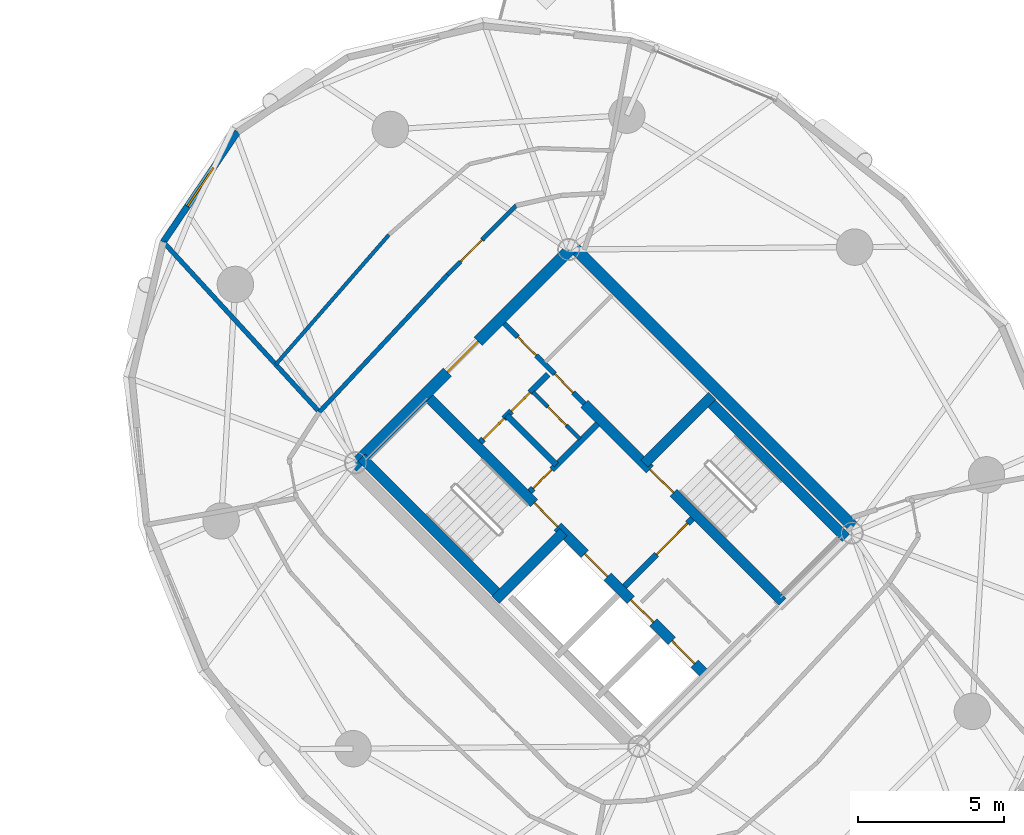
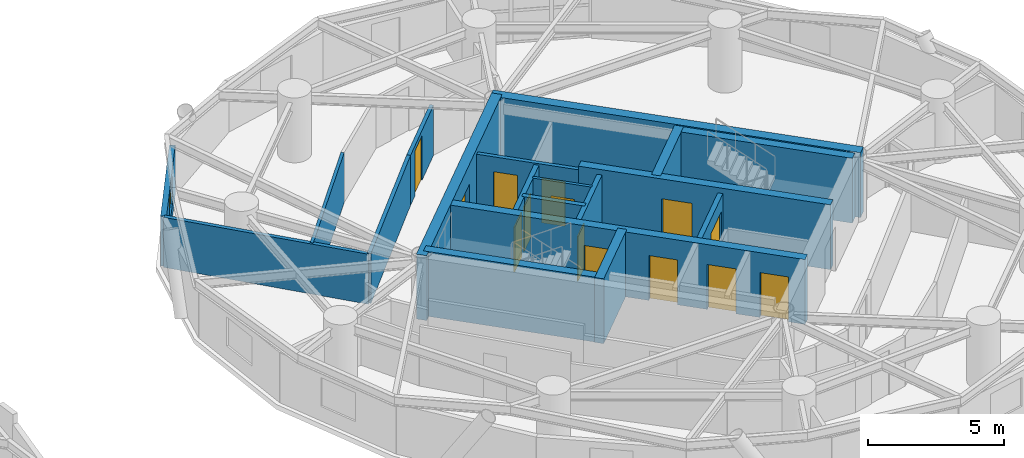
# One storey, part 12 of 17: 19 walls, 14 doors, 1 window, 15 openings.
"""IFC4 building model written with IfcOpenShell, lengths in metres."""

from ifc_helpers import new_model, si_unit, direction, frame, frame_2d, origin, place, context, subcontext, project, spatial, rectangle, extrude, source, transform, mapped, material, layer, layer_set, type_object, element, fill, save


model = new_model("IFC4")

# Units and contexts
model_context = context("Model", 3, precision=1e-05, world=origin(), true_north=direction((0.0, 1.0)))
body_context = subcontext(model_context, "Body", "Model", "MODEL_VIEW")
ifc_project = project(units=[si_unit("LENGTHUNIT", "METRE"), si_unit("AREAUNIT", "SQUARE_METRE"), si_unit("VOLUMEUNIT", "CUBIC_METRE"), si_unit("PLANEANGLEUNIT", "RADIAN"), si_unit("MASSUNIT", "GRAM", prefix="KILO")], contexts=[model_context])

# Site, building, storey
site_placement = place(None, origin())
site = spatial("IfcSite", under=ifc_project, at=site_placement, CompositionType="ELEMENT")
building_placement = place(site_placement, origin())
building = spatial("IfcBuilding", under=site, at=building_placement, Name="Cununo Teusaquillo Station Towers", CompositionType="ELEMENT")
storey_placement = place(building_placement, frame((0.0, 0.0, 163.239990234375)))
storey = spatial("IfcBuildingStorey", under=building, at=storey_placement, Name="L51", CompositionType="ELEMENT", Elevation=163.239990234375)

# Wall, openings, doors
ifc_material_1 = material(Name="Concrete C50/60", Category="concrete")
ifc_layer_1 = layer(ifc_material_1, 0.35009765625)
ifc_layer_set_1 = layer_set([ifc_layer_1], Name="Concrete C50/60")
wall_type_1 = type_object("IfcWallType", Name="WL-CORE-350", PredefinedType="SHEAR", material=ifc_layer_set_1)
wall_1_placement = place(storey_placement, frame((61.060302734375, 18.372802734375, 0.0), z_axis=(0.0, 0.0, 1.0), x_axis=(-0.707106781187, 0.707106781187, 0.0)))
wall_1 = element("IfcWall", 1, at=wall_1_placement, inside=storey, type_object=wall_type_1, Name="L51 Tower B Core Shear Wall IW", PredefinedType="SHEAR", context=body_context, shape_type="SweptSolid", body=[
    extrude(rectangle(XDim=13.7001953125, YDim=0.35009765625, at=frame_2d((6.85009765625, 0.0))), origin(), (0.0, 0.0, 1.0), 2.909912109375),
])
shared_shape_1 = source(origin(), body_context, "Body", "SweptSolid", [
    extrude(rectangle(XDim=1.10009765625, YDim=2.014892578125, at=frame_2d((0.550048828125, 1.00732421875))), frame((0.0, 0.18505859375, 0.0), z_axis=(0.0, -1.0, 0.0), x_axis=(1.0, 0.0, 0.0)), (0.0, 0.0, 1.0), 0.3701171875),
])
opening_1_placement = place(wall_1_placement, frame((4.85009765625, 0.0, 0.0)))
opening_1 = element("IfcOpeningElement", 2, at=opening_1_placement, cuts=wall_1, Name="Opening LD-01", PredefinedType="OPENING", context=body_context, shape_type="MappedRepresentation", body=[
    mapped(shared_shape_1, transform((0.0, 0.0, 0.0), x_axis=(1.0, 0.0, 0.0), y_axis=(0.0, 1.0, 0.0), z_axis=(0.0, 0.0, 1.0), scale=1.0)),
])
opening_2_placement = place(wall_1_placement, frame((0.625, 0.0, 0.0)))
opening_2 = element("IfcOpeningElement", 3, at=opening_2_placement, cuts=wall_1, Name="Opening LD-01", PredefinedType="OPENING", context=body_context, shape_type="MappedRepresentation", body=[
    mapped(shared_shape_1, transform((0.0, 0.0, 0.0), x_axis=(1.0, 0.0, 0.0), y_axis=(0.0, 1.0, 0.0), z_axis=(0.0, 0.0, 1.0), scale=1.0)),
])
opening_3_placement = place(wall_1_placement, frame((2.625, 0.0, 0.0)))
opening_3 = element("IfcOpeningElement", 4, at=opening_3_placement, cuts=wall_1, Name="Opening LD-01", PredefinedType="OPENING", context=body_context, shape_type="MappedRepresentation", body=[
    mapped(shared_shape_1, transform((0.0, 0.0, 0.0), x_axis=(1.0, 0.0, 0.0), y_axis=(0.0, 1.0, 0.0), z_axis=(0.0, 0.0, 1.0), scale=1.0)),
])
shared_shape_2 = source(origin(), body_context, "Body", "SweptSolid", [
    extrude(rectangle(XDim=1.14990234375, YDim=2.02001953125, at=frame_2d((0.574951171875, 1.010009765625))), frame((0.0, 0.18505859375, 0.0), z_axis=(0.0, -1.0, 0.0), x_axis=(1.0, 0.0, 0.0)), (0.0, 0.0, 1.0), 0.3701171875),
])
opening_4_placement = place(wall_1_placement, frame((7.27001953125, 0.0, 0.0)))
opening_4 = element("IfcOpeningElement", 5, at=opening_4_placement, cuts=wall_1, Name="Opening D-ST1", PredefinedType="OPENING", context=body_context, shape_type="MappedRepresentation", body=[
    mapped(shared_shape_2, transform((0.0, 0.0, 0.0), x_axis=(1.0, 0.0, 0.0), y_axis=(0.0, 1.0, 0.0), z_axis=(0.0, 0.0, 1.0), scale=1.0)),
])
ifc_material_2 = material(Name="Galvanised fire-rated hollow steel door assembly", Category="steel")
door_type_1 = type_object("IfcDoorType", Name="DR-LIFT-1100", OperationType="SLIDING_TO_LEFT", PredefinedType="DOOR", material=ifc_material_2)
shared_shape_3 = source(origin(), body_context, "Body", "SweptSolid", [
    extrude(rectangle(XDim=1.10009765625, YDim=2.014892578125, at=frame_2d((0.550048828125, 1.00732421875))), frame((0.0, 0.02490234375, 0.0), z_axis=(0.0, -1.0, 0.0), x_axis=(1.0, 0.0, 0.0)), (0.0, 0.0, 1.0), 0.050048828125),
])
door_1_placement = place(opening_1_placement, origin())
door_1 = element("IfcDoor", 6, at=door_1_placement, inside=storey, type_object=door_type_1, Name="L51 Lift FL-T2 Sliding Landing Door", OperationType="SLIDING_TO_LEFT", OverallHeight=2.014892578125, OverallWidth=1.10009765625, PredefinedType="DOOR", context=body_context, shape_type="MappedRepresentation", body=[
    mapped(shared_shape_3, transform((0.0, 0.0, 0.0), x_axis=(1.0, 0.0, 0.0), y_axis=(0.0, 1.0, 0.0), z_axis=(0.0, 0.0, 1.0), scale=1.0)),
])
fill(opening_1, door_1)
door_2_placement = place(opening_2_placement, origin())
door_2 = element("IfcDoor", 7, at=door_2_placement, inside=storey, type_object=door_type_1, Name="L51 Lift PL-T2-H1 Sliding Landing Door", OperationType="SLIDING_TO_RIGHT", OverallHeight=2.014892578125, OverallWidth=1.10009765625, PredefinedType="DOOR", context=body_context, shape_type="MappedRepresentation", body=[
    mapped(shared_shape_3, transform((0.0, 0.0, 0.0), x_axis=(1.0, 0.0, 0.0), y_axis=(0.0, 1.0, 0.0), z_axis=(0.0, 0.0, 1.0), scale=1.0)),
])
fill(opening_2, door_2)
door_3_placement = place(opening_3_placement, origin())
door_3 = element("IfcDoor", 8, at=door_3_placement, inside=storey, type_object=door_type_1, Name="L51 Lift PL-T2-H2 Sliding Landing Door", OperationType="SLIDING_TO_LEFT", OverallHeight=2.014892578125, OverallWidth=1.10009765625, PredefinedType="DOOR", context=body_context, shape_type="MappedRepresentation", body=[
    mapped(shared_shape_3, transform((0.0, 0.0, 0.0), x_axis=(1.0, 0.0, 0.0), y_axis=(0.0, 1.0, 0.0), z_axis=(0.0, 0.0, 1.0), scale=1.0)),
])
fill(opening_3, door_3)
ifc_material_3 = material(Name="Galvanised fire-rated hollow steel door assembly", Category="steel")
door_type_2 = type_object("IfcDoorType", Name="DR-STAIR-1150", OperationType="NOTDEFINED", PredefinedType="DOOR", material=ifc_material_3)
shared_shape_4 = source(origin(), body_context, "Body", "SweptSolid", [
    extrude(rectangle(XDim=1.14990234375, YDim=2.02001953125, at=frame_2d((0.574951171875, 1.010009765625))), frame((0.0, 0.02490234375, 0.0), z_axis=(0.0, -1.0, 0.0), x_axis=(1.0, 0.0, 0.0)), (0.0, 0.0, 1.0), 0.050048828125),
])
door_4_placement = place(opening_4_placement, origin())
door_4 = element("IfcDoor", 9, at=door_4_placement, inside=storey, type_object=door_type_2, Name="L51 Tower B Exit Stair 1 Fire Door", OperationType="SINGLE_SWING_LEFT", OverallHeight=2.02001953125, OverallWidth=1.14990234375, PredefinedType="DOOR", context=body_context, shape_type="MappedRepresentation", body=[
    mapped(shared_shape_4, transform((0.0, 0.0, 0.0), x_axis=(1.0, 0.0, 0.0), y_axis=(0.0, 1.0, 0.0), z_axis=(0.0, 0.0, 1.0), scale=1.0)),
])
fill(opening_4, door_4)

# Wall, opening, door
wall_2_placement = place(storey_placement, frame((63.627197265625, 20.939697265625, 0.0), z_axis=(0.0, 0.0, 1.0), x_axis=(-0.707119496762, 0.707094065383, 0.0)))
wall_2 = element("IfcWall", 10, at=wall_2_placement, inside=storey, type_object=wall_type_1, Name="L51 Tower B Core Shear Wall IE", PredefinedType="SHEAR", context=body_context, shape_type="SweptSolid", body=[
    extrude(rectangle(XDim=9.60009765625, YDim=0.35009765625, at=frame_2d((4.800048828125, 0.0))), origin(), (0.0, 0.0, 1.0), 2.909912109375),
])
opening_5_placement = place(wall_2_placement, frame((5.280029296875, 0.0, 0.0)))
opening_5 = element("IfcOpeningElement", 11, at=opening_5_placement, cuts=wall_2, Name="Opening D-ST1", PredefinedType="OPENING", context=body_context, shape_type="MappedRepresentation", body=[
    mapped(shared_shape_2, transform((0.0, 0.0, 0.0), x_axis=(1.0, 0.0, 0.0), y_axis=(0.0, 1.0, 0.0), z_axis=(0.0, 0.0, 1.0), scale=1.0)),
])
door_5_placement = place(opening_5_placement, origin())
door_5 = element("IfcDoor", 12, at=door_5_placement, inside=storey, type_object=door_type_2, Name="L51 Tower B Exit Stair 2 Fire Door", OperationType="SINGLE_SWING_RIGHT", OverallHeight=2.02001953125, OverallWidth=1.14990234375, PredefinedType="DOOR", context=body_context, shape_type="MappedRepresentation", body=[
    mapped(shared_shape_4, transform((0.0, 0.0, 0.0), x_axis=(1.0, 0.0, 0.0), y_axis=(0.0, 1.0, 0.0), z_axis=(0.0, 0.0, 1.0), scale=1.0)),
])
fill(opening_5, door_5)

# Walls
wall_3_placement = place(storey_placement, frame((53.922119140625, 21.14111328125, 0.0), z_axis=(0.0, 0.0, 1.0), x_axis=(-0.707106781187, 0.707106781187, 0.0)))
element("IfcWall", 13, at=wall_3_placement, inside=storey, type_object=wall_type_1, Name="L51 Tower B Core Shear Wall ST1W", PredefinedType="SHEAR", context=body_context, shape_type="SweptSolid", body=[
    extrude(rectangle(XDim=6.695068359375, YDim=0.35009765625, at=frame_2d((3.34765625, 0.0))), origin(), (0.0, 0.0, 1.0), 2.909912109375),
])
wall_4_placement = place(storey_placement, frame((53.7841796875, 21.00341796875, 0.0), z_axis=(0.0, 0.0, 1.0), x_axis=(0.707106781187, 0.707106781187, 0.0)))
element("IfcWall", 14, at=wall_4_placement, inside=storey, type_object=wall_type_1, Name="L51 Tower B Core Shear Wall ST1S", PredefinedType="SHEAR", context=body_context, shape_type="SweptSolid", body=[
    extrude(rectangle(XDim=3.284912109375, YDim=0.35009765625, at=frame_2d((1.642578125, 0.0))), origin(), (0.0, 0.0, 1.0), 2.909912109375),
])
wall_5_placement = place(storey_placement, frame((65.81201171875, 23.124755859375, 0.0), z_axis=(0.0, 0.0, 1.0), x_axis=(-0.707106781187, 0.707106781187, 0.0)))
element("IfcWall", 15, at=wall_5_placement, inside=storey, type_object=wall_type_1, Name="L51 Tower B Core Shear Wall ST2E", PredefinedType="SHEAR", context=body_context, shape_type="SweptSolid", body=[
    extrude(rectangle(XDim=6.695068359375, YDim=0.35009765625, at=frame_2d((3.34765625, 0.0))), origin(), (0.0, 0.0, 1.0), 2.909912109375),
])
wall_6_placement = place(storey_placement, frame((58.89306640625, 25.673828125, 0.0), z_axis=(0.0, 0.0, 1.0), x_axis=(0.707106781187, 0.707106781187, 0.0)))
element("IfcWall", 16, at=wall_6_placement, inside=storey, type_object=wall_type_1, Name="L51 Tower B Core Shear Wall ST2N", PredefinedType="SHEAR", context=body_context, shape_type="SweptSolid", body=[
    extrude(rectangle(XDim=3.284912109375, YDim=0.35009765625, at=frame_2d((1.642578125, 0.0))), origin(), (0.0, 0.0, 1.0), 2.909912109375),
])
ifc_material_4 = material(Name="Concrete C50/60", Category="concrete")
ifc_layer_2 = layer(ifc_material_4, 0.39990234375)
ifc_layer_set_2 = layer_set([ifc_layer_2], Name="Concrete C50/60")
wall_type_2 = type_object("IfcWallType", Name="WL-CORE-400", PredefinedType="SHEAR", material=ifc_layer_set_2)
wall_7_placement = place(storey_placement, frame((66.26806640625, 23.2978515625, 0.0), z_axis=(0.0, 0.0, 1.0), x_axis=(-0.707106781187, 0.707106781187, 0.0)))
element("IfcWall", 17, at=wall_7_placement, inside=storey, type_object=wall_type_2, Name="L51 Tower B Core Shear Wall E", PredefinedType="SHEAR", context=body_context, shape_type="SweptSolid", body=[
    extrude(rectangle(XDim=14.10009765625, YDim=0.39990234375, at=frame_2d((7.050048828125, 0.0))), origin(), (0.0, 0.0, 1.0), 2.909912109375),
])

# Wall, opening, door
wall_8_placement = place(storey_placement, frame((48.873291015625, 25.560791015625, 0.0), z_axis=(0.0, 0.0, 1.0), x_axis=(0.707106781187, 0.707106781187, 0.0)))
wall_8 = element("IfcWall", 18, at=wall_8_placement, inside=storey, type_object=wall_type_2, Name="L51 Tower B Core Shear Wall N", PredefinedType="SHEAR", context=body_context, shape_type="SweptSolid", body=[
    extrude(rectangle(XDim=10.69970703125, YDim=0.39990234375, at=frame_2d((5.349853515625, 0.0))), origin(), (0.0, 0.0, 1.0), 2.909912109375),
])
shared_shape_5 = source(origin(), body_context, "Body", "SweptSolid", [
    extrude(rectangle(XDim=1.5, YDim=2.02001953125, at=frame_2d((0.75, 1.010009765625))), frame((0.0, 0.2099609375, 0.0), z_axis=(0.0, -1.0, 0.0), x_axis=(1.0, 0.0, 0.0)), (0.0, 0.0, 1.0), 0.419921875),
])
opening_6_placement = place(wall_8_placement, frame((4.60009765625, 0.0, 0.0)))
opening_6 = element("IfcOpeningElement", 19, at=opening_6_placement, cuts=wall_8, Name="Opening D-LB1", PredefinedType="OPENING", context=body_context, shape_type="MappedRepresentation", body=[
    mapped(shared_shape_5, transform((0.0, 0.0, 0.0), x_axis=(1.0, 0.0, 0.0), y_axis=(0.0, 1.0, 0.0), z_axis=(0.0, 0.0, 1.0), scale=1.0)),
])
ifc_material_5 = material(Name="Galvanised fire-rated hollow steel door assembly", Category="steel")
door_type_3 = type_object("IfcDoorType", Name="DR-LOBBY-1500", OperationType="DOUBLE_DOOR_SINGLE_SWING", PredefinedType="DOOR", material=ifc_material_5)
shared_shape_6 = source(origin(), body_context, "Body", "SweptSolid", [
    extrude(rectangle(XDim=1.5, YDim=2.02001953125, at=frame_2d((0.75, 1.010009765625))), frame((0.0, 0.02490234375, 0.0), z_axis=(0.0, -1.0, 0.0), x_axis=(1.0, 0.0, 0.0)), (0.0, 0.0, 1.0), 0.050048828125),
])
door_6_placement = place(opening_6_placement, origin())
door_6 = element("IfcDoor", 20, at=door_6_placement, inside=storey, type_object=door_type_3, Name="L51 Tower B North Core Lift Lobby Door", OperationType="DOUBLE_DOOR_SINGLE_SWING", OverallHeight=2.02001953125, OverallWidth=1.5, PredefinedType="DOOR", context=body_context, shape_type="MappedRepresentation", body=[
    mapped(shared_shape_6, transform((0.0, 0.0, 0.0), x_axis=(1.0, 0.0, 0.0), y_axis=(0.0, 1.0, 0.0), z_axis=(0.0, 0.0, 1.0), scale=1.0)),
])
fill(opening_6, door_6)

# Wall, opening, window
ifc_material_6 = material(Name="Precast concrete C40/50", Category="concrete")
ifc_layer_3 = layer(ifc_material_6, 0.219970703125)
ifc_layer_set_3 = layer_set([ifc_layer_3], Name="Precast concrete C40/50")
wall_type_3 = type_object("IfcWallType", Name="WL-EXT-220", PredefinedType="SOLIDWALL", material=ifc_layer_set_3)
wall_9_placement = place(storey_placement, frame((42.3779296875, 33.27880859375, 0.0), z_axis=(0.0, 0.0, 1.0), x_axis=(0.559635286042, 0.828739009952, 0.0)))
wall_9 = element("IfcWall", 21, at=wall_9_placement, inside=storey, type_object=wall_type_3, Name="L51 Tower B Exterior Facade Wall C05", PredefinedType="SOLIDWALL", context=body_context, shape_type="SweptSolid", body=[
    extrude(rectangle(XDim=4.56884765625, YDim=0.219970703125, at=frame_2d((2.284423828125, 0.0))), origin(), (0.0, 0.0, 1.0), 2.2451171875),
])
shared_shape_7 = source(origin(), body_context, "Body", "SweptSolid", [
    extrude(rectangle(XDim=1.60009765625, YDim=1.300048828125, at=frame_2d((0.800048828125, 0.64990234375))), frame((0.0, 0.119873046875, 0.0), z_axis=(0.0, -1.0, 0.0), x_axis=(1.0, 0.0, 0.0)), (0.0, 0.0, 1.0), 0.239990234375),
])
opening_7_placement = place(wall_9_placement, frame((1.48388671875, 0.0, 0.64990234375)))
opening_7 = element("IfcOpeningElement", 22, at=opening_7_placement, cuts=wall_9, Name="Opening WN-03", PredefinedType="OPENING", context=body_context, shape_type="MappedRepresentation", body=[
    mapped(shared_shape_7, transform((0.0, 0.0, 0.0), x_axis=(1.0, 0.0, 0.0), y_axis=(0.0, 1.0, 0.0), z_axis=(0.0, 0.0, 1.0), scale=1.0)),
])
ifc_material_7 = material(Name="Ceramic-fritted dark low-E double glazing", Category="glass")
window_type = type_object("IfcWindowType", Name="WIN-CORN-1600", PartitioningType="SINGLE_PANEL", PredefinedType="WINDOW", material=ifc_material_7)
shared_shape_8 = source(origin(), body_context, "Body", "SweptSolid", [
    extrude(rectangle(XDim=1.60009765625, YDim=1.300048828125, at=frame_2d((0.800048828125, 0.64990234375))), frame((0.0, 0.030029296875, 0.0), z_axis=(0.0, -1.0, 0.0), x_axis=(1.0, 0.0, 0.0)), (0.0, 0.0, 1.0), 0.06005859375),
])
window_placement = place(opening_7_placement, origin())
window = element("IfcWindow", 23, at=window_placement, inside=storey, type_object=window_type, Name="L51 Tower B Facade Window C05", OverallHeight=1.300048828125, OverallWidth=1.60009765625, PartitioningType="SINGLE_PANEL", PredefinedType="WINDOW", context=body_context, shape_type="MappedRepresentation", body=[
    mapped(shared_shape_8, transform((0.0, 0.0, 0.0), x_axis=(1.0, 0.0, 0.0), y_axis=(0.0, 1.0, 0.0), z_axis=(0.0, 0.0, 1.0), scale=1.0)),
])
fill(opening_7, window)

# Wall, opening, door
ifc_material_8 = material(Name="Fire-rated gypsum plasterboard partition assembly", Category="gypsum")
ifc_layer_4 = layer(ifc_material_8, 0.125)
ifc_layer_set_4 = layer_set([ifc_layer_4], Name="Fire-rated gypsum plasterboard partition assembly")
wall_type_4 = type_object("IfcWallType", Name="WL-PART-125", PredefinedType="PARTITIONING", material=ifc_layer_set_4)
wall_10_placement = place(storey_placement, frame((56.672607421875, 26.529296875, 0.0), z_axis=(0.0, 0.0, 1.0), x_axis=(-0.707052764397, 0.70716079385, 0.0)))
wall_10 = element("IfcWall", 24, at=wall_10_placement, inside=storey, type_object=wall_type_4, Name="L51 Tower B Core Vertical Split Wall", PredefinedType="PARTITIONING", context=body_context, shape_type="SweptSolid", body=[
    extrude(rectangle(XDim=2.260009765625, YDim=0.125, at=frame_2d((1.1298828125, 0.0))), origin(), (0.0, 0.0, 1.0), 2.675048828125),
])
shared_shape_9 = source(origin(), body_context, "Body", "SweptSolid", [
    extrude(rectangle(XDim=0.89990234375, YDim=2.0048828125, at=frame_2d((0.449951171875, 1.00244140625))), frame((0.0, 0.072509765625, 0.0), z_axis=(0.0, -1.0, 0.0), x_axis=(1.0, 0.0, 0.0)), (0.0, 0.0, 1.0), 0.14501953125),
])
opening_8_placement = place(wall_10_placement, frame((0.64990234375, 0.0, 0.0)))
opening_8 = element("IfcOpeningElement", 25, at=opening_8_placement, cuts=wall_10, Name="Opening D-SR1", PredefinedType="OPENING", context=body_context, shape_type="MappedRepresentation", body=[
    mapped(shared_shape_9, transform((0.0, 0.0, 0.0), x_axis=(1.0, 0.0, 0.0), y_axis=(0.0, 1.0, 0.0), z_axis=(0.0, 0.0, 1.0), scale=1.0)),
])
ifc_material_9 = material(Name="Galvanised fire-rated hollow steel door assembly", Category="steel")
door_type_4 = type_object("IfcDoorType", Name="DR-STORE-900", OperationType="NOTDEFINED", PredefinedType="DOOR", material=ifc_material_9)
shared_shape_10 = source(origin(), body_context, "Body", "SweptSolid", [
    extrude(rectangle(XDim=0.89990234375, YDim=2.0048828125, at=frame_2d((0.449951171875, 1.00244140625))), frame((0.0, 0.02490234375, 0.0), z_axis=(0.0, -1.0, 0.0), x_axis=(1.0, 0.0, 0.0)), (0.0, 0.0, 1.0), 0.050048828125),
])
door_7_placement = place(opening_8_placement, origin())
door_7 = element("IfcDoor", 26, at=door_7_placement, inside=storey, type_object=door_type_4, Name="L51 Tower B Core Electrical Room Door", OperationType="SINGLE_SWING_LEFT", OverallHeight=2.0048828125, OverallWidth=0.89990234375, PredefinedType="DOOR", context=body_context, shape_type="MappedRepresentation", body=[
    mapped(shared_shape_10, transform((0.0, 0.0, 0.0), x_axis=(1.0, 0.0, 0.0), y_axis=(0.0, 1.0, 0.0), z_axis=(0.0, 0.0, 1.0), scale=1.0)),
])
fill(opening_8, door_7)

# Wall
wall_11_placement = place(storey_placement, frame((50.123046875, 33.529052734375, 0.0), z_axis=(0.0, 0.0, 1.0), x_axis=(-0.657371249324, -0.753566878626, 0.0)))
element("IfcWall", 27, at=wall_11_placement, inside=storey, type_object=wall_type_4, Name="L51 Tower B High-Zone Club Reading & Dining Hall Concentric Partition Wall C05", PredefinedType="PARTITIONING", context=body_context, shape_type="SweptSolid", body=[
    extrude(rectangle(XDim=5.90576171875, YDim=0.125, at=frame_2d((2.952880859375, 0.0))), origin(), (0.0, 0.0, 1.0), 2.2451171875),
])

# Wall, opening, door
ifc_material_10 = material(Name="Fire-rated gypsum plasterboard partition assembly", Category="gypsum")
ifc_layer_5 = layer(ifc_material_10, 0.14990234375)
ifc_layer_set_5 = layer_set([ifc_layer_5], Name="Fire-rated gypsum plasterboard partition assembly")
wall_type_5 = type_object("IfcWallType", Name="WL-PART-150", PredefinedType="PARTITIONING", material=ifc_layer_set_5)
wall_12_placement = place(storey_placement, frame((54.48779296875, 34.534912109375, 0.0), z_axis=(0.0, 0.0, 1.0), x_axis=(-0.703666289339, -0.710530613871, 0.0)))
wall_12 = element("IfcWall", 28, at=wall_12_placement, inside=storey, type_object=wall_type_5, Name="L51 Tower B Corridor Ring Wall C04", PredefinedType="PARTITIONING", context=body_context, shape_type="SweptSolid", body=[
    extrude(rectangle(XDim=3.34326171875, YDim=0.14990234375, at=frame_2d((1.671630859375, 0.0))), origin(), (0.0, 0.0, 1.0), 2.2451171875),
])
shared_shape_11 = source(origin(), body_context, "Body", "SweptSolid", [
    extrude(rectangle(XDim=1.050048828125, YDim=2.014892578125, at=frame_2d((0.52490234375, 1.00732421875))), frame((0.0, 0.0849609375, 0.0), z_axis=(0.0, -1.0, 0.0), x_axis=(1.0, 0.0, 0.0)), (0.0, 0.0, 1.0), 0.169921875),
])
opening_9_placement = place(wall_12_placement, frame((1.659912109375, 0.0, 0.0)))
opening_9 = element("IfcOpeningElement", 29, at=opening_9_placement, cuts=wall_12, Name="Opening D-SU1", PredefinedType="OPENING", context=body_context, shape_type="MappedRepresentation", body=[
    mapped(shared_shape_11, transform((0.0, 0.0, 0.0), x_axis=(1.0, 0.0, 0.0), y_axis=(0.0, 1.0, 0.0), z_axis=(0.0, 0.0, 1.0), scale=1.0)),
])
ifc_material_11 = material(Name="Acoustic solid-core hardwood leaf assembly", Category="wood")
door_type_5 = type_object("IfcDoorType", Name="DR-SUITE-1050", OperationType="NOTDEFINED", PredefinedType="DOOR", material=ifc_material_11)
shared_shape_12 = source(origin(), body_context, "Body", "SweptSolid", [
    extrude(rectangle(XDim=1.050048828125, YDim=2.014892578125, at=frame_2d((0.52490234375, 1.00732421875))), frame((0.0, 0.02490234375, 0.0), z_axis=(0.0, -1.0, 0.0), x_axis=(1.0, 0.0, 0.0)), (0.0, 0.0, 1.0), 0.050048828125),
])
door_8_placement = place(opening_9_placement, origin())
door_8 = element("IfcDoor", 30, at=door_8_placement, inside=storey, type_object=door_type_5, Name="L51 Tower B High-Zone Club Reading & Dining Hall Entrance Door", OperationType="SINGLE_SWING_RIGHT", OverallHeight=2.014892578125, OverallWidth=1.050048828125, PredefinedType="DOOR", context=body_context, shape_type="MappedRepresentation", body=[
    mapped(shared_shape_12, transform((0.0, 0.0, 0.0), x_axis=(1.0, 0.0, 0.0), y_axis=(0.0, 1.0, 0.0), z_axis=(0.0, 0.0, 1.0), scale=1.0)),
])
fill(opening_9, door_8)

# Wall
wall_13_placement = place(storey_placement, frame((52.13525390625, 32.159423828125, 0.0), z_axis=(0.0, 0.0, 1.0), x_axis=(-0.682546302454, -0.730842353047, 0.0)))
element("IfcWall", 31, at=wall_13_placement, inside=storey, type_object=wall_type_5, Name="L51 Tower B Corridor Ring Wall C05", PredefinedType="PARTITIONING", context=body_context, shape_type="SweptSolid", body=[
    extrude(rectangle(XDim=6.4453125, YDim=0.14990234375, at=frame_2d((3.22265625, 0.0))), origin(), (0.0, 0.0, 1.0), 2.2451171875),
])

# Wall, openings, doors
ifc_material_12 = material(Name="Fire-rated gypsum plasterboard partition assembly", Category="gypsum")
ifc_layer_6 = layer(ifc_material_12, 0.159912109375)
ifc_layer_set_6 = layer_set([ifc_layer_6], Name="Fire-rated gypsum plasterboard partition assembly")
wall_type_6 = type_object("IfcWallType", Name="WL-PART-160", PredefinedType="PARTITIONING", material=ifc_layer_set_6)
wall_14_placement = place(storey_placement, frame((56.8388671875, 27.727783203125, 0.0), z_axis=(0.0, 0.0, 1.0), x_axis=(-0.707106781187, 0.707106781187, 0.0)))
wall_14 = element("IfcWall", 32, at=wall_14_placement, inside=storey, type_object=wall_type_6, Name="L51 Tower B Reclaimed Core Bay Entry Wall", PredefinedType="PARTITIONING", context=body_context, shape_type="SweptSolid", body=[
    extrude(rectangle(XDim=3.900146484375, YDim=0.159912109375, at=frame_2d((1.9501953125, 0.0))), origin(), (0.0, 0.0, 1.0), 2.675048828125),
])
shared_shape_13 = source(origin(), body_context, "Body", "SweptSolid", [
    extrude(rectangle(XDim=0.89990234375, YDim=2.0048828125, at=frame_2d((0.449951171875, 1.00244140625))), frame((0.0, 0.08984375, 0.0), z_axis=(0.0, -1.0, 0.0), x_axis=(1.0, 0.0, 0.0)), (0.0, 0.0, 1.0), 0.179931640625),
])
opening_10_placement = place(wall_14_placement, frame((0.550048828125, 0.0, 0.0)))
opening_10 = element("IfcOpeningElement", 33, at=opening_10_placement, cuts=wall_14, Name="Opening D-IN1", PredefinedType="OPENING", context=body_context, shape_type="MappedRepresentation", body=[
    mapped(shared_shape_13, transform((0.0, 0.0, 0.0), x_axis=(1.0, 0.0, 0.0), y_axis=(0.0, 1.0, 0.0), z_axis=(0.0, 0.0, 1.0), scale=1.0)),
])
opening_11_placement = place(wall_14_placement, frame((2.35009765625, 0.0, 0.0)))
opening_11 = element("IfcOpeningElement", 34, at=opening_11_placement, cuts=wall_14, Name="Opening D-IN1", PredefinedType="OPENING", context=body_context, shape_type="MappedRepresentation", body=[
    mapped(shared_shape_13, transform((0.0, 0.0, 0.0), x_axis=(1.0, 0.0, 0.0), y_axis=(0.0, 1.0, 0.0), z_axis=(0.0, 0.0, 1.0), scale=1.0)),
])
ifc_material_13 = material(Name="Acoustic solid-core hardwood leaf assembly", Category="wood")
door_type_6 = type_object("IfcDoorType", Name="DR-INT-900", OperationType="NOTDEFINED", PredefinedType="DOOR", material=ifc_material_13)
door_9_placement = place(opening_10_placement, origin())
door_9 = element("IfcDoor", 35, at=door_9_placement, inside=storey, type_object=door_type_6, Name="L51 Tower B Reclaimed Core Study Door", OperationType="SINGLE_SWING_RIGHT", OverallHeight=2.0048828125, OverallWidth=0.89990234375, PredefinedType="DOOR", context=body_context, shape_type="MappedRepresentation", body=[
    mapped(shared_shape_10, transform((0.0, 0.0, 0.0), x_axis=(1.0, 0.0, 0.0), y_axis=(0.0, 1.0, 0.0), z_axis=(0.0, 0.0, 1.0), scale=1.0)),
])
fill(opening_10, door_9)
door_10_placement = place(opening_11_placement, origin())
door_10 = element("IfcDoor", 36, at=door_10_placement, inside=storey, type_object=door_type_6, Name="L51 Tower B Reclaimed Core Pantry Door", OperationType="SINGLE_SWING_LEFT", OverallHeight=2.0048828125, OverallWidth=0.89990234375, PredefinedType="DOOR", context=body_context, shape_type="MappedRepresentation", body=[
    mapped(shared_shape_10, transform((0.0, 0.0, 0.0), x_axis=(1.0, 0.0, 0.0), y_axis=(0.0, 1.0, 0.0), z_axis=(0.0, 0.0, 1.0), scale=1.0)),
])
fill(opening_11, door_10)

# Wall
wall_15_placement = place(storey_placement, frame((47.736083984375, 27.448974609375, 0.0), z_axis=(0.0, 0.0, 1.0), x_axis=(-0.676056254668, 0.736850012231, 0.0)))
element("IfcWall", 37, at=wall_15_placement, inside=storey, type_object=wall_type_6, Name="L51 Tower B Radial Suite Partition R02", PredefinedType="PARTITIONING", context=body_context, shape_type="SweptSolid", body=[
    extrude(rectangle(XDim=7.899169921875, YDim=0.159912109375, at=frame_2d((3.94970703125, 0.0))), origin(), (0.0, 0.0, 1.0), 2.2451171875),
])

# Wall, opening, door
ifc_material_14 = material(Name="Fire-rated gypsum plasterboard partition assembly", Category="gypsum")
ifc_layer_7 = layer(ifc_material_14, 0.199951171875)
ifc_layer_set_7 = layer_set([ifc_layer_7], Name="Fire-rated gypsum plasterboard partition assembly")
wall_type_7 = type_object("IfcWallType", Name="WL-PART-200", PredefinedType="PARTITIONING", material=ifc_layer_set_7)
wall_16_placement = place(storey_placement, frame((58.214111328125, 21.466552734375, 0.0), z_axis=(0.0, 0.0, 1.0), x_axis=(0.707106781187, 0.707106781187, 0.0)))
wall_16 = element("IfcWall", 38, at=wall_16_placement, inside=storey, type_object=wall_type_7, Name="L51 Tower B Firefighting Lift Lobby South Fire Wall", PredefinedType="PARTITIONING", context=body_context, shape_type="SweptSolid", body=[
    extrude(rectangle(XDim=3.280029296875, YDim=0.199951171875, at=frame_2d((1.64013671875, 0.0))), origin(), (0.0, 0.0, 1.0), 2.675048828125),
])
shared_shape_14 = source(origin(), body_context, "Body", "SweptSolid", [
    extrude(rectangle(XDim=1.5, YDim=2.02001953125, at=frame_2d((0.75, 1.010009765625))), frame((0.0, 0.10986328125, 0.0), z_axis=(0.0, -1.0, 0.0), x_axis=(1.0, 0.0, 0.0)), (0.0, 0.0, 1.0), 0.219970703125),
])
opening_12_placement = place(wall_16_placement, frame((1.550048828125, 0.0, 0.0)))
opening_12 = element("IfcOpeningElement", 39, at=opening_12_placement, cuts=wall_16, Name="Opening D-LB1", PredefinedType="OPENING", context=body_context, shape_type="MappedRepresentation", body=[
    mapped(shared_shape_14, transform((0.0, 0.0, 0.0), x_axis=(1.0, 0.0, 0.0), y_axis=(0.0, 1.0, 0.0), z_axis=(0.0, 0.0, 1.0), scale=1.0)),
])
door_11_placement = place(opening_12_placement, origin())
door_11 = element("IfcDoor", 40, at=door_11_placement, inside=storey, type_object=door_type_3, Name="L51 Tower B Firefighting Lift Lobby South Fire Door", OperationType="DOUBLE_DOOR_SINGLE_SWING", OverallHeight=2.02001953125, OverallWidth=1.5, PredefinedType="DOOR", context=body_context, shape_type="MappedRepresentation", body=[
    mapped(shared_shape_6, transform((0.0, 0.0, 0.0), x_axis=(1.0, 0.0, 0.0), y_axis=(0.0, 1.0, 0.0), z_axis=(0.0, 0.0, 1.0), scale=1.0)),
])
fill(opening_12, door_11)

wall_17_placement = place(storey_placement, frame((54.96142578125, 24.71923828125, 0.0), z_axis=(0.0, 0.0, 1.0), x_axis=(0.707106781187, 0.707106781187, 0.0)))
wall_17 = element("IfcWall", 41, at=wall_17_placement, inside=storey, type_object=wall_type_7, Name="L51 Tower B Firefighting Lift Lobby North Fire Wall", PredefinedType="PARTITIONING", context=body_context, shape_type="SweptSolid", body=[
    extrude(rectangle(XDim=3.280029296875, YDim=0.199951171875, at=frame_2d((1.64013671875, 0.0))), origin(), (0.0, 0.0, 1.0), 2.675048828125),
])
shared_shape_15 = source(origin(), body_context, "Body", "SweptSolid", [
    extrude(rectangle(XDim=0.89990234375, YDim=2.0048828125, at=frame_2d((0.449951171875, 1.00244140625))), frame((0.0, 0.10986328125, 0.0), z_axis=(0.0, -1.0, 0.0), x_axis=(1.0, 0.0, 0.0)), (0.0, 0.0, 1.0), 0.219970703125),
])
opening_13_placement = place(wall_17_placement, frame((0.159912109375, 0.0, 0.0)))
opening_13 = element("IfcOpeningElement", 42, at=opening_13_placement, cuts=wall_17, Name="Opening D-SR1", PredefinedType="OPENING", context=body_context, shape_type="MappedRepresentation", body=[
    mapped(shared_shape_15, transform((0.0, 0.0, 0.0), x_axis=(1.0, 0.0, 0.0), y_axis=(0.0, 1.0, 0.0), z_axis=(0.0, 0.0, 1.0), scale=1.0)),
])
door_12_placement = place(opening_13_placement, origin())
door_12 = element("IfcDoor", 43, at=door_12_placement, inside=storey, type_object=door_type_4, Name="L51 Tower B Stair 1 Protected Vestibule South Door", OperationType="SINGLE_SWING_LEFT", OverallHeight=2.0048828125, OverallWidth=0.89990234375, PredefinedType="DOOR", context=body_context, shape_type="MappedRepresentation", body=[
    mapped(shared_shape_10, transform((0.0, 0.0, 0.0), x_axis=(1.0, 0.0, 0.0), y_axis=(0.0, 1.0, 0.0), z_axis=(0.0, 0.0, 1.0), scale=1.0)),
])
fill(opening_13, door_12)

# Wall
wall_18_placement = place(storey_placement, frame((55.873779296875, 25.63134765625, 0.0), z_axis=(0.0, 0.0, 1.0), x_axis=(-0.707157639372, 0.707055919343, 0.0)))
element("IfcWall", 44, at=wall_18_placement, inside=storey, type_object=wall_type_7, Name="L51 Tower B Stair 1 Vestibule Partition Wall", PredefinedType="PARTITIONING", context=body_context, shape_type="SweptSolid", body=[
    extrude(rectangle(XDim=2.400146484375, YDim=0.199951171875, at=frame_2d((1.2001953125, 0.0))), origin(), (0.0, 0.0, 1.0), 2.675048828125),
])

# Wall, openings, doors
wall_19_placement = place(storey_placement, frame((53.264404296875, 26.416259765625, 0.0), z_axis=(0.0, 0.0, 1.0), x_axis=(0.707106781187, 0.707106781187, 0.0)))
wall_19 = element("IfcWall", 45, at=wall_19_placement, inside=storey, type_object=wall_type_7, Name="L51 Tower B North Lift Lobby South Fire Wall", PredefinedType="PARTITIONING", context=body_context, shape_type="SweptSolid", body=[
    extrude(rectangle(XDim=3.280029296875, YDim=0.199951171875, at=frame_2d((1.64013671875, 0.0))), origin(), (0.0, 0.0, 1.0), 2.675048828125),
])
shared_shape_16 = source(origin(), body_context, "Body", "SweptSolid", [
    extrude(rectangle(XDim=1.0, YDim=2.014892578125, at=frame_2d((0.5, 1.00732421875))), frame((0.0, 0.10986328125, 0.0), z_axis=(0.0, -1.0, 0.0), x_axis=(1.0, 0.0, 0.0)), (0.0, 0.0, 1.0), 0.219970703125),
])
opening_14_placement = place(wall_19_placement, frame((0.139892578125, 0.0, 0.0)))
opening_14 = element("IfcOpeningElement", 46, at=opening_14_placement, cuts=wall_19, Name="Opening D-AC1", PredefinedType="OPENING", context=body_context, shape_type="MappedRepresentation", body=[
    mapped(shared_shape_16, transform((0.0, 0.0, 0.0), x_axis=(1.0, 0.0, 0.0), y_axis=(0.0, 1.0, 0.0), z_axis=(0.0, 0.0, 1.0), scale=1.0)),
])
opening_15_placement = place(wall_19_placement, frame((1.5, 0.0, 0.0)))
opening_15 = element("IfcOpeningElement", 47, at=opening_15_placement, cuts=wall_19, Name="Opening D-SR1", PredefinedType="OPENING", context=body_context, shape_type="MappedRepresentation", body=[
    mapped(shared_shape_15, transform((0.0, 0.0, 0.0), x_axis=(1.0, 0.0, 0.0), y_axis=(0.0, 1.0, 0.0), z_axis=(0.0, 0.0, 1.0), scale=1.0)),
])
door_13_placement = place(opening_15_placement, origin())
door_13 = element("IfcDoor", 48, at=door_13_placement, inside=storey, type_object=door_type_4, Name="L51 Tower B Core Housekeeping Store Door", OperationType="SINGLE_SWING_RIGHT", OverallHeight=2.0048828125, OverallWidth=0.89990234375, PredefinedType="DOOR", context=body_context, shape_type="MappedRepresentation", body=[
    mapped(shared_shape_10, transform((0.0, 0.0, 0.0), x_axis=(1.0, 0.0, 0.0), y_axis=(0.0, 1.0, 0.0), z_axis=(0.0, 0.0, 1.0), scale=1.0)),
])
fill(opening_15, door_13)
ifc_material_15 = material(Name="Acoustic solid-core hardwood leaf assembly", Category="wood")
door_type_7 = type_object("IfcDoorType", Name="DR-ACC-1000", OperationType="NOTDEFINED", PredefinedType="DOOR", material=ifc_material_15)
shared_shape_17 = source(origin(), body_context, "Body", "SweptSolid", [
    extrude(rectangle(XDim=1.0, YDim=2.014892578125, at=frame_2d((0.5, 1.00732421875))), frame((0.0, 0.02490234375, 0.0), z_axis=(0.0, -1.0, 0.0), x_axis=(1.0, 0.0, 0.0)), (0.0, 0.0, 1.0), 0.050048828125),
])
door_14_placement = place(opening_14_placement, origin())
door_14 = element("IfcDoor", 49, at=door_14_placement, inside=storey, type_object=door_type_7, Name="L51 Tower B North Lift Lobby to Stair 1 Vestibule Door", OperationType="SINGLE_SWING_RIGHT", OverallHeight=2.014892578125, OverallWidth=1.0, PredefinedType="DOOR", context=body_context, shape_type="MappedRepresentation", body=[
    mapped(shared_shape_17, transform((0.0, 0.0, 0.0), x_axis=(1.0, 0.0, 0.0), y_axis=(0.0, 1.0, 0.0), z_axis=(0.0, 0.0, 1.0), scale=1.0)),
])
fill(opening_14, door_14)

save(model, "model.ifc")
